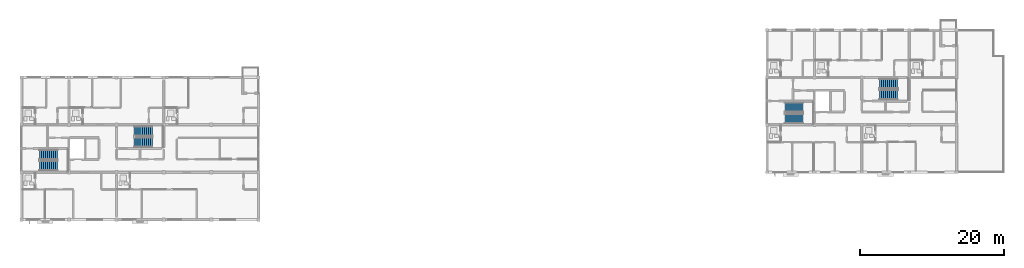
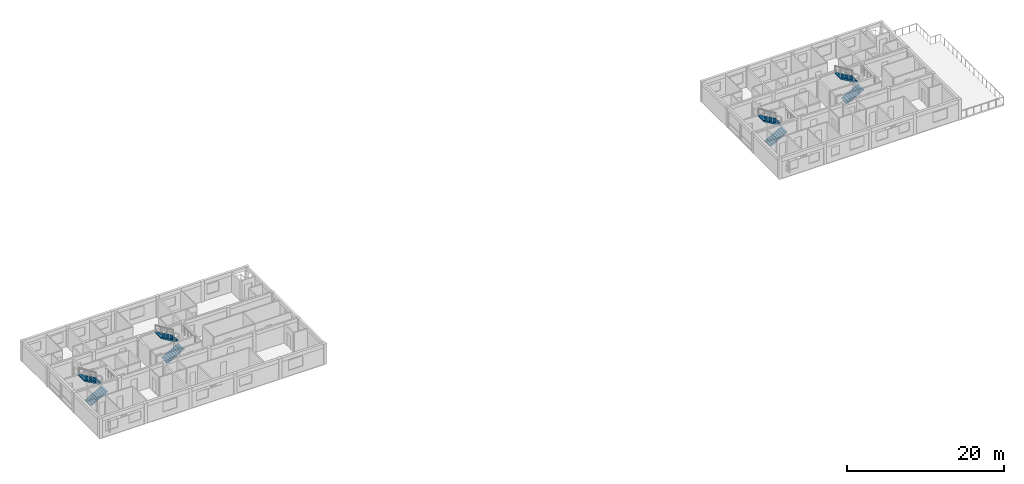
# One storey, part 16 of 22: 8 stair flights, 4 elements without a shape of their own.
"""IFC4 building model written with IfcOpenShell, lengths in metres."""

from ifc_helpers import new_model, si_unit, direction, frame, origin, place, context, subcontext, project, spatial, polyline, outline, extrude, material, type_object, element, aggregate, save


model = new_model("IFC4")

# Units and contexts
model_context = context("Model", 3, precision=1e-05, world=origin(), true_north=direction((0.0, 1.0)))
body_context = subcontext(model_context, "Body", "Model", "MODEL_VIEW")
ifc_project = project(units=[si_unit("LENGTHUNIT", "METRE"), si_unit("AREAUNIT", "SQUARE_METRE"), si_unit("VOLUMEUNIT", "CUBIC_METRE"), si_unit("PLANEANGLEUNIT", "RADIAN"), si_unit("MASSUNIT", "GRAM", prefix="KILO")], contexts=[model_context])

# Site, building, storey
site_placement = place(None, origin())
site = spatial("IfcSite", under=ifc_project, at=site_placement, CompositionType="ELEMENT")
building_placement = place(site_placement, origin())
building = spatial("IfcBuilding", under=site, at=building_placement, Name="Kernevlak Ridge Housing Community", CompositionType="ELEMENT")
storey_placement = place(building_placement, frame((0.0, 0.0, 43.60009765625)))
storey = spatial("IfcBuildingStorey", under=building, at=storey_placement, Name="L13", CompositionType="ELEMENT", Elevation=43.60009765625)

# Stair, stair flights
ifc_material = material(Name="Concrete C35/45", Category="concrete")
stair_type_1 = type_object("IfcStairType", Name="SR-01", PredefinedType="HALF_TURN_STAIR", material=ifc_material)
stair_1_placement = place(storey_placement, origin())
stair_1 = element("IfcStair", 1, at=stair_1_placement, inside=storey, type_object=stair_type_1, Name="Stair ST-B1 L13", PredefinedType="HALF_TURN_STAIR")
stair_flight_type_1 = type_object("IfcStairFlightType", Name="SF-01", PredefinedType="STRAIGHT", material=ifc_material)
stair_flight_1_placement = place(storey_placement, frame((121.8798828125, 90.06005859375, 0.0), z_axis=(0.0, 0.0, 1.0), x_axis=(1.0, 0.0, 0.0)))
stair_flight_1 = element("IfcStairFlight", 2, at=stair_flight_1_placement, type_object=stair_flight_type_1, Name="SR-01 flight 1", NumberOfRisers=10, NumberOfTreads=9, PredefinedType="STRAIGHT", RiserHeight=0.16, TreadLength=0.28, context=body_context, shape_type="SweptSolid", body=[
    extrude(outline(polyline([(0.0, 0.0), (0.0, 0.159912109375), (0.280029296875, 0.159912109375), (0.280029296875, 0.320068359375), (0.56005859375, 0.320068359375), (0.56005859375, 0.47998046875), (0.840087890625, 0.47998046875), (0.840087890625, 0.639892578125), (1.1201171875, 0.639892578125), (1.1201171875, 0.800048828125), (1.39990234375, 0.800048828125), (1.39990234375, 0.9599609375), (1.679931640625, 0.9599609375), (1.679931640625, 1.1201171875), (1.9599609375, 1.1201171875), (1.9599609375, 1.280029296875), (2.239990234375, 1.280029296875), (2.239990234375, 1.43994140625), (2.52001953125, 1.43994140625), (2.52001953125, 1.60009765625), (2.52001953125, 1.244384765625), (0.342529296875, 0.0), (0.0, 0.0)])), frame((0.0, 0.699951171875, 0.0), z_axis=(0.0, -1.0, 0.0), x_axis=(1.0, 0.0, 0.0)), (0.0, 0.0, 1.0), 1.39990234375),
])
stair_flight_2_placement = place(storey_placement, frame((124.39990234375, 91.639892578125, 1.599853515625), z_axis=(0.0, 0.0, 1.0), x_axis=(-1.0, 0.0, 0.0)))
stair_flight_2 = element("IfcStairFlight", 3, at=stair_flight_2_placement, type_object=stair_flight_type_1, Name="SR-01 flight 2", NumberOfRisers=10, NumberOfTreads=9, PredefinedType="STRAIGHT", RiserHeight=0.16, TreadLength=0.28, context=body_context, shape_type="SweptSolid", body=[
    extrude(outline(polyline([(0.0, 0.0), (0.0, 0.159912109375), (0.280029296875, 0.159912109375), (0.280029296875, 0.320068359375), (0.56005859375, 0.320068359375), (0.56005859375, 0.47998046875), (0.840087890625, 0.47998046875), (0.840087890625, 0.639892578125), (1.1201171875, 0.639892578125), (1.1201171875, 0.800048828125), (1.39990234375, 0.800048828125), (1.39990234375, 0.9599609375), (1.679931640625, 0.9599609375), (1.679931640625, 1.1201171875), (1.9599609375, 1.1201171875), (1.9599609375, 1.280029296875), (2.239990234375, 1.280029296875), (2.239990234375, 1.43994140625), (2.52001953125, 1.43994140625), (2.52001953125, 1.60009765625), (2.52001953125, 1.244384765625), (0.342529296875, 0.0), (0.0, 0.0)])), frame((0.0, 0.699951171875, 0.0), z_axis=(0.0, -1.0, 0.0), x_axis=(1.0, 0.0, 0.0)), (0.0, 0.0, 1.0), 1.39990234375),
])
aggregate(stair_1, [stair_flight_1, stair_flight_2])

stair_2_placement = place(storey_placement, origin())
stair_2 = element("IfcStair", 4, at=stair_2_placement, inside=storey, type_object=stair_type_1, Name="Stair ST-B2 L13", PredefinedType="HALF_TURN_STAIR")
stair_flight_3_placement = place(storey_placement, frame((135.080078125, 93.360107421875, 0.0), z_axis=(0.0, 0.0, 1.0), x_axis=(1.0, 0.0, 0.0)))
stair_flight_3 = element("IfcStairFlight", 5, at=stair_flight_3_placement, type_object=stair_flight_type_1, Name="SR-01 flight 1", NumberOfRisers=10, NumberOfTreads=9, PredefinedType="STRAIGHT", RiserHeight=0.16, TreadLength=0.28, context=body_context, shape_type="SweptSolid", body=[
    extrude(outline(polyline([(0.0, 0.0), (0.0, 0.159912109375), (0.280029296875, 0.159912109375), (0.280029296875, 0.320068359375), (0.56005859375, 0.320068359375), (0.56005859375, 0.47998046875), (0.840087890625, 0.47998046875), (0.840087890625, 0.639892578125), (1.1201171875, 0.639892578125), (1.1201171875, 0.800048828125), (1.39990234375, 0.800048828125), (1.39990234375, 0.9599609375), (1.679931640625, 0.9599609375), (1.679931640625, 1.1201171875), (1.9599609375, 1.1201171875), (1.9599609375, 1.280029296875), (2.239990234375, 1.280029296875), (2.239990234375, 1.43994140625), (2.52001953125, 1.43994140625), (2.52001953125, 1.60009765625), (2.52001953125, 1.244384765625), (0.342529296875, 0.0), (0.0, 0.0)])), frame((0.0, 0.699951171875, 0.0), z_axis=(0.0, -1.0, 0.0), x_axis=(1.0, 0.0, 0.0)), (0.0, 0.0, 1.0), 1.39990234375),
])
stair_flight_4_placement = place(storey_placement, frame((137.60009765625, 94.93994140625, 1.599853515625), z_axis=(0.0, 0.0, 1.0), x_axis=(-1.0, 0.0, 0.0)))
stair_flight_4 = element("IfcStairFlight", 6, at=stair_flight_4_placement, type_object=stair_flight_type_1, Name="SR-01 flight 2", NumberOfRisers=10, NumberOfTreads=9, PredefinedType="STRAIGHT", RiserHeight=0.16, TreadLength=0.28, context=body_context, shape_type="SweptSolid", body=[
    extrude(outline(polyline([(0.0, 0.0), (0.0, 0.159912109375), (0.280029296875, 0.159912109375), (0.280029296875, 0.320068359375), (0.56005859375, 0.320068359375), (0.56005859375, 0.47998046875), (0.840087890625, 0.47998046875), (0.840087890625, 0.639892578125), (1.1201171875, 0.639892578125), (1.1201171875, 0.800048828125), (1.39990234375, 0.800048828125), (1.39990234375, 0.9599609375), (1.679931640625, 0.9599609375), (1.679931640625, 1.1201171875), (1.9599609375, 1.1201171875), (1.9599609375, 1.280029296875), (2.239990234375, 1.280029296875), (2.239990234375, 1.43994140625), (2.52001953125, 1.43994140625), (2.52001953125, 1.60009765625), (2.52001953125, 1.244384765625), (0.342529296875, 0.0), (0.0, 0.0)])), frame((0.0, 0.699951171875, 0.0), z_axis=(0.0, -1.0, 0.0), x_axis=(1.0, 0.0, 0.0)), (0.0, 0.0, 1.0), 1.39990234375),
])
aggregate(stair_2, [stair_flight_3, stair_flight_4])

stair_type_2 = type_object("IfcStairType", Name="SR-06", PredefinedType="HALF_TURN_STAIR", material=ifc_material)
stair_3_placement = place(storey_placement, origin())
stair_3 = element("IfcStair", 7, at=stair_3_placement, inside=storey, type_object=stair_type_2, Name="Stair ST-A1 L13", PredefinedType="HALF_TURN_STAIR")
stair_flight_type_2 = type_object("IfcStairFlightType", Name="SF-06", PredefinedType="STRAIGHT", material=ifc_material)
stair_flight_5_placement = place(storey_placement, frame((18.080078125, 83.4599609375, 0.0), z_axis=(0.0, 0.0, 1.0), x_axis=(1.0, 0.0, 0.0)))
stair_flight_5 = element("IfcStairFlight", 8, at=stair_flight_5_placement, type_object=stair_flight_type_2, Name="SR-06 flight 1", NumberOfRisers=10, NumberOfTreads=9, PredefinedType="STRAIGHT", RiserHeight=0.16, TreadLength=0.28, context=body_context, shape_type="SweptSolid", body=[
    extrude(outline(polyline([(0.0, 0.0), (0.0, 0.159912109375), (0.280029296875, 0.159912109375), (0.280029296875, 0.320068359375), (0.56005859375, 0.320068359375), (0.56005859375, 0.47998046875), (0.840087890625, 0.47998046875), (0.840087890625, 0.639892578125), (1.1201171875, 0.639892578125), (1.1201171875, 0.800048828125), (1.39990234375, 0.800048828125), (1.39990234375, 0.9599609375), (1.679931640625, 0.9599609375), (1.679931640625, 1.1201171875), (1.9599609375, 1.1201171875), (1.9599609375, 1.280029296875), (2.239990234375, 1.280029296875), (2.239990234375, 1.43994140625), (2.52001953125, 1.43994140625), (2.52001953125, 1.60009765625), (2.52001953125, 1.244384765625), (0.342529296875, 0.0), (0.0, 0.0)])), frame((0.0, 0.719970703125, 0.0), z_axis=(0.0, -1.0, 0.0), x_axis=(1.0, 0.0, 0.0)), (0.0, 0.0, 1.0), 1.43994140625),
])
stair_flight_6_placement = place(storey_placement, frame((20.60009765625, 85.0400390625, 1.599853515625), z_axis=(0.0, 0.0, 1.0), x_axis=(-1.0, 0.0, 0.0)))
stair_flight_6 = element("IfcStairFlight", 9, at=stair_flight_6_placement, type_object=stair_flight_type_2, Name="SR-06 flight 2", NumberOfRisers=10, NumberOfTreads=9, PredefinedType="STRAIGHT", RiserHeight=0.16, TreadLength=0.28, context=body_context, shape_type="SweptSolid", body=[
    extrude(outline(polyline([(0.0, 0.0), (0.0, 0.159912109375), (0.280029296875, 0.159912109375), (0.280029296875, 0.320068359375), (0.56005859375, 0.320068359375), (0.56005859375, 0.47998046875), (0.840087890625, 0.47998046875), (0.840087890625, 0.639892578125), (1.1201171875, 0.639892578125), (1.1201171875, 0.800048828125), (1.39990234375, 0.800048828125), (1.39990234375, 0.9599609375), (1.679931640625, 0.9599609375), (1.679931640625, 1.1201171875), (1.9599609375, 1.1201171875), (1.9599609375, 1.280029296875), (2.239990234375, 1.280029296875), (2.239990234375, 1.43994140625), (2.52001953125, 1.43994140625), (2.52001953125, 1.60009765625), (2.52001953125, 1.244384765625), (0.342529296875, 0.0), (0.0, 0.0)])), frame((0.0, 0.719970703125, 0.0), z_axis=(0.0, -1.0, 0.0), x_axis=(1.0, 0.0, 0.0)), (0.0, 0.0, 1.0), 1.43994140625),
])
aggregate(stair_3, [stair_flight_5, stair_flight_6])

stair_4_placement = place(storey_placement, origin())
stair_4 = element("IfcStair", 10, at=stair_4_placement, inside=storey, type_object=stair_type_2, Name="Stair ST-A2 L13", PredefinedType="HALF_TURN_STAIR")
stair_flight_7_placement = place(storey_placement, frame((31.280029296875, 86.760009765625, 0.0), z_axis=(0.0, 0.0, 1.0), x_axis=(1.0, 0.0, 0.0)))
stair_flight_7 = element("IfcStairFlight", 11, at=stair_flight_7_placement, type_object=stair_flight_type_2, Name="SR-06 flight 1", NumberOfRisers=10, NumberOfTreads=9, PredefinedType="STRAIGHT", RiserHeight=0.16, TreadLength=0.28, context=body_context, shape_type="SweptSolid", body=[
    extrude(outline(polyline([(0.0, 0.0), (0.0, 0.159912109375), (0.280029296875, 0.159912109375), (0.280029296875, 0.320068359375), (0.56005859375, 0.320068359375), (0.56005859375, 0.47998046875), (0.840087890625, 0.47998046875), (0.840087890625, 0.639892578125), (1.1201171875, 0.639892578125), (1.1201171875, 0.800048828125), (1.39990234375, 0.800048828125), (1.39990234375, 0.9599609375), (1.679931640625, 0.9599609375), (1.679931640625, 1.1201171875), (1.9599609375, 1.1201171875), (1.9599609375, 1.280029296875), (2.239990234375, 1.280029296875), (2.239990234375, 1.43994140625), (2.52001953125, 1.43994140625), (2.52001953125, 1.60009765625), (2.52001953125, 1.244384765625), (0.342529296875, 0.0), (0.0, 0.0)])), frame((0.0, 0.719970703125, 0.0), z_axis=(0.0, -1.0, 0.0), x_axis=(1.0, 0.0, 0.0)), (0.0, 0.0, 1.0), 1.43994140625),
])
stair_flight_8_placement = place(storey_placement, frame((33.800048828125, 88.340087890625, 1.599853515625), z_axis=(0.0, 0.0, 1.0), x_axis=(-1.0, 0.0, 0.0)))
stair_flight_8 = element("IfcStairFlight", 12, at=stair_flight_8_placement, type_object=stair_flight_type_2, Name="SR-06 flight 2", NumberOfRisers=10, NumberOfTreads=9, PredefinedType="STRAIGHT", RiserHeight=0.16, TreadLength=0.28, context=body_context, shape_type="SweptSolid", body=[
    extrude(outline(polyline([(0.0, 0.0), (0.0, 0.159912109375), (0.280029296875, 0.159912109375), (0.280029296875, 0.320068359375), (0.56005859375, 0.320068359375), (0.56005859375, 0.47998046875), (0.840087890625, 0.47998046875), (0.840087890625, 0.639892578125), (1.1201171875, 0.639892578125), (1.1201171875, 0.800048828125), (1.39990234375, 0.800048828125), (1.39990234375, 0.9599609375), (1.679931640625, 0.9599609375), (1.679931640625, 1.1201171875), (1.9599609375, 1.1201171875), (1.9599609375, 1.280029296875), (2.239990234375, 1.280029296875), (2.239990234375, 1.43994140625), (2.52001953125, 1.43994140625), (2.52001953125, 1.60009765625), (2.52001953125, 1.244384765625), (0.342529296875, 0.0), (0.0, 0.0)])), frame((0.0, 0.719970703125, 0.0), z_axis=(0.0, -1.0, 0.0), x_axis=(1.0, 0.0, 0.0)), (0.0, 0.0, 1.0), 1.43994140625),
])
aggregate(stair_4, [stair_flight_7, stair_flight_8])

save(model, "model.ifc")
